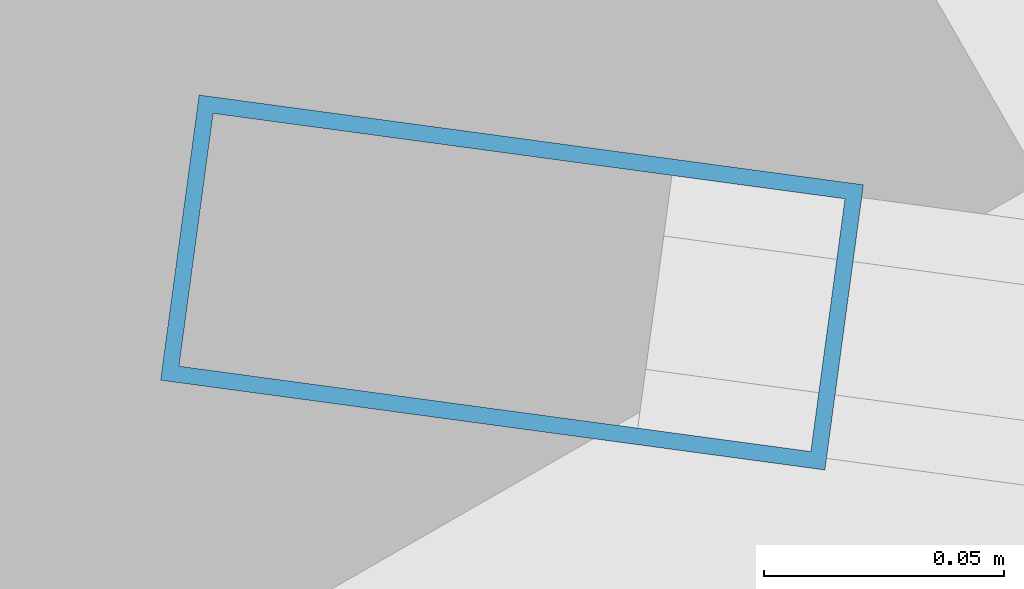
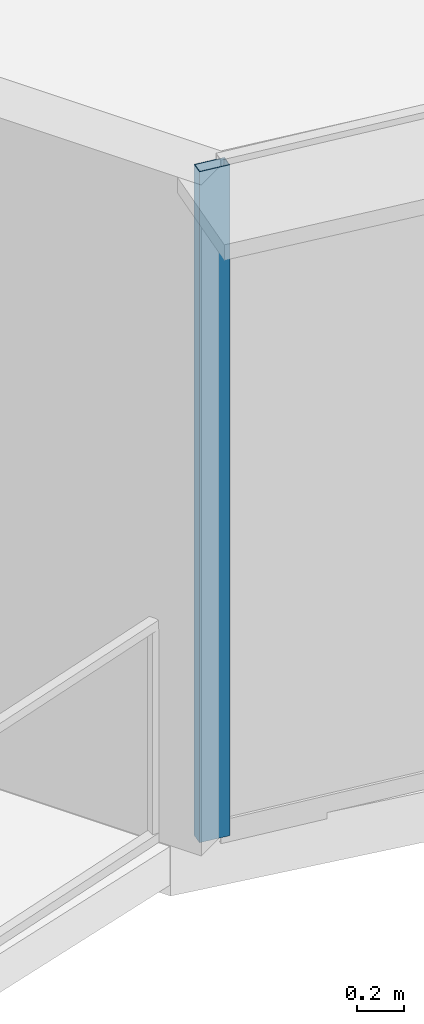
# One storey, part 2 of 34: 1 member, 1 element without a shape of its own.
"""IFC4 building model written with IfcOpenShell, lengths in metres."""

from ifc_helpers import new_model, si_unit, direction, frame, origin, origin_2d, place, context, subcontext, project, spatial, hollow_rectangle, extrude, source, transform, mapped, material, layer, layer_set, material_profile, profile_set, type_object, element, aggregate, save


model = new_model("IFC4")

# Units and contexts
model_context = context("Model", 3, precision=1e-05, world=origin(), true_north=direction((0.0, 1.0)))
body_context = subcontext(model_context, "Body", "Model", "MODEL_VIEW")
ifc_project = project(units=[si_unit("LENGTHUNIT", "METRE"), si_unit("AREAUNIT", "SQUARE_METRE"), si_unit("VOLUMEUNIT", "CUBIC_METRE"), si_unit("PLANEANGLEUNIT", "RADIAN"), si_unit("MASSUNIT", "GRAM", prefix="KILO"), si_unit("THERMODYNAMICTEMPERATUREUNIT", "KELVIN"), si_unit("POWERUNIT", "WATT")], contexts=[model_context])

# Site, building, storey
site_placement = place(None, origin())
site = spatial("IfcSite", under=ifc_project, at=site_placement, CompositionType="ELEMENT")
building_placement = place(site_placement, origin())
building = spatial("IfcBuilding", under=site, at=building_placement, Name="Yunzhuo Pagoda Commons", CompositionType="ELEMENT")
storey_placement = place(building_placement, frame((0.0, 0.0, 233.340087890625)))
storey = spatial("IfcBuildingStorey", under=building, at=storey_placement, Name="L58", CompositionType="ELEMENT", Elevation=233.340087890625)

# Curtain wall, member
ifc_material = material(Name="Anodized aluminium 6063-T6", Category="aluminium")
ifc_layer = layer(ifc_material, 0.139892578125)
ifc_layer_set = layer_set([ifc_layer], Name="Anodized aluminium 6063-T6")
curtain_wall_type = type_object("IfcCurtainWallType", Name="CW-HI High-Zone Ribbon Curtain Wall", PredefinedType="NOTDEFINED", material=ifc_layer_set)
curtain_wall_placement = place(storey_placement, origin())
curtain_wall = element("IfcCurtainWall", 1, at=curtain_wall_placement, inside=storey, type_object=curtain_wall_type, Name="L58 curtain wall CW-L58-F1B1", PredefinedType="NOTDEFINED")
ifc_material_profile = material_profile(ifc_material, hollow_rectangle(XDim=0.06005859375, YDim=0.139892578125, WallThickness=0.00341796875, at=origin_2d()), Name="Anodized aluminium 6063-T6")
ifc_profile_set = profile_set([ifc_material_profile], Name="Anodized aluminium 6063-T6")
member_type = type_object("IfcMemberType", Name="CW-HI-M Mullion RHS 140x60x3.5", PredefinedType="MULLION", material=ifc_profile_set)
shared_shape = source(origin(), body_context, "Body", "SweptSolid", [
    extrude(hollow_rectangle(XDim=0.06005859375, YDim=0.139892578125, WallThickness=0.00341796875, at=origin_2d()), origin(), (0.0, 0.0, 1.0), 3.469970703125),
])
member_placement = place(storey_placement, frame((15.7822265625, 18.6513671875, 0.0), z_axis=(0.0, 0.0, 1.0), x_axis=(0.133929585963, 0.990990850616, 0.0)))
member = element("IfcMember", 2, at=member_placement, type_object=member_type, Name="CW mullion 1", PredefinedType="MULLION", context=body_context, shape_type="MappedRepresentation", body=[
    mapped(shared_shape, transform((0.0, 0.0, 0.0), scale=1.0)),
])
aggregate(curtain_wall, [member])

save(model, "model.ifc")
